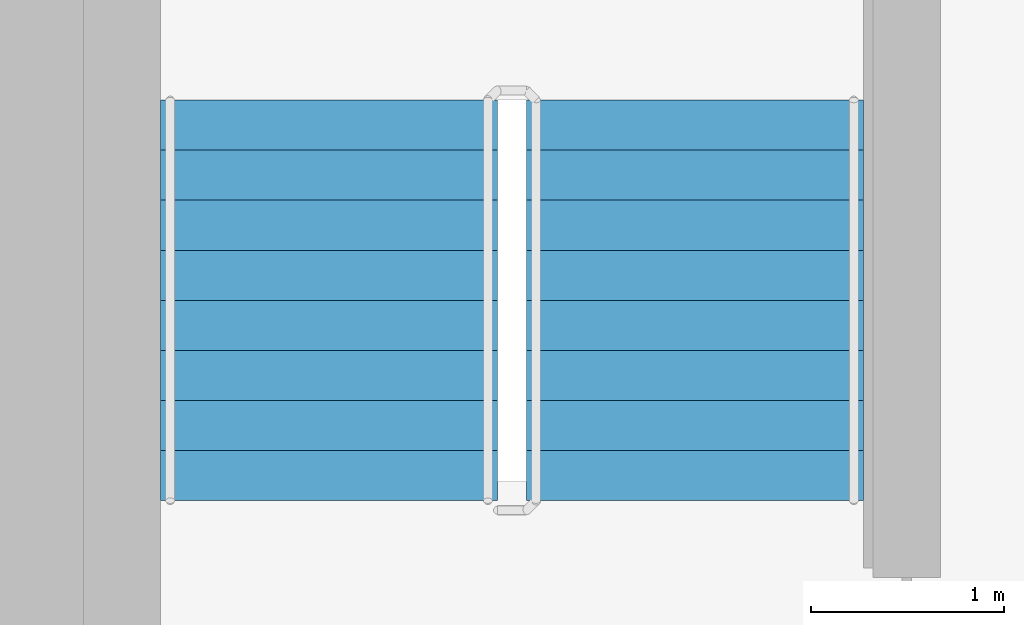
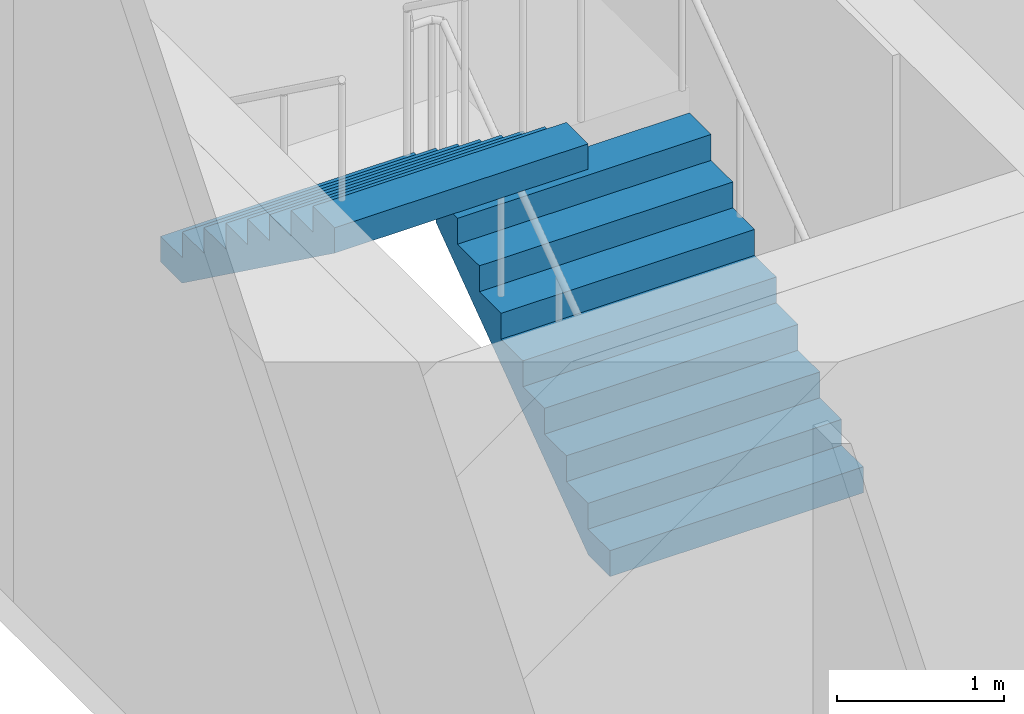
# One storey, part 16 of 19: 2 stair flights, 1 element without a shape of its own.
"""IFC4 building model written with IfcOpenShell, lengths in metres."""

from ifc_helpers import new_model, si_unit, direction, frame, origin, place, context, subcontext, project, spatial, faceted_brep, material, type_object, element, aggregate, save


model = new_model("IFC4")

# Units and contexts
model_context = context("Model", 3, precision=1e-05, world=origin(), true_north=direction((0.0, 1.0)))
body_context = subcontext(model_context, "Body", "Model", "MODEL_VIEW")
ifc_project = project(units=[si_unit("LENGTHUNIT", "METRE"), si_unit("AREAUNIT", "SQUARE_METRE"), si_unit("VOLUMEUNIT", "CUBIC_METRE"), si_unit("PLANEANGLEUNIT", "RADIAN"), si_unit("MASSUNIT", "GRAM", prefix="KILO")], contexts=[model_context])

# Site, building, storey
site_placement = place(None, origin())
site = spatial("IfcSite", under=ifc_project, at=site_placement, CompositionType="ELEMENT")
building_placement = place(site_placement, origin())
building = spatial("IfcBuilding", under=site, at=building_placement, Name="Ipe Terrace Towers", CompositionType="ELEMENT")
storey_placement = place(building_placement, frame((0.0, 0.0, 157.5)))
storey = spatial("IfcBuildingStorey", under=building, at=storey_placement, Name="L43", CompositionType="ELEMENT", Elevation=157.5)

# Stair, stair flights
ifc_material_1 = material(Name="Concrete C30/37", Category="concrete")
stair_type = type_object("IfcStairType", Name="Protected exit stair", PredefinedType="HALF_TURN_STAIR", material=ifc_material_1)
stair_placement = place(storey_placement, origin())
stair = element("IfcStair", 1, at=stair_placement, inside=storey, type_object=stair_type, Name="L43 Exit stair T2-C1", PredefinedType="HALF_TURN_STAIR")
ifc_material_2 = material(Name="Concrete C30/37", Category="concrete")
stair_flight_type = type_object("IfcStairFlightType", Name="Exit stair flight 1750", PredefinedType="STRAIGHT", material=ifc_material_2)
stair_flight_1_placement = place(storey_placement, frame((33.22509765625, 9.699951171875, 0.0), z_axis=(0.0, 0.0, 1.0), x_axis=(0.0, 1.0, 0.0)))
stair_flight_1 = element("IfcStairFlight", 2, at=stair_flight_1_placement, type_object=stair_flight_type, Name="T2-ST1 flight 1", NumberOfRisers=9, NumberOfTreads=8, PredefinedType="STRAIGHT", RiserHeight=0.188888889, TreadLength=0.26, context=body_context, shape_type="Brep", body=[
    faceted_brep([(0.255126953125, -0.875, 0.0), (2.080078125, -0.875, 1.325927734375), (2.080078125, -0.875, 1.51123046875), (1.820068359375, -0.875, 1.51123046875), (1.820068359375, -0.875, 1.322265625), (1.56005859375, -0.875, 1.322265625), (1.56005859375, -0.875, 1.13330078125), (1.300048828125, -0.875, 1.13330078125), (1.300048828125, -0.875, 0.9443359375), (1.0400390625, -0.875, 0.9443359375), (1.0400390625, -0.875, 0.755615234375), (0.780029296875, -0.875, 0.755615234375), (0.780029296875, -0.875, 0.566650390625), (0.52001953125, -0.875, 0.566650390625), (0.52001953125, -0.875, 0.377685546875), (0.260009765625, -0.875, 0.377685546875), (0.260009765625, -0.875, 0.18896484375), (0.0, -0.875, 0.18896484375), (0.0, -0.875, 0.0), (0.0, 0.875, 0.0), (0.0, 0.875, 0.18896484375), (0.260009765625, 0.875, 0.18896484375), (0.260009765625, 0.875, 0.377685546875), (0.52001953125, 0.875, 0.377685546875), (0.52001953125, 0.875, 0.566650390625), (0.780029296875, 0.875, 0.566650390625), (0.780029296875, 0.875, 0.755615234375), (1.0400390625, 0.875, 0.755615234375), (1.0400390625, 0.875, 0.9443359375), (1.300048828125, 0.875, 0.9443359375), (1.300048828125, 0.875, 1.13330078125), (1.56005859375, 0.875, 1.13330078125), (1.56005859375, 0.875, 1.322265625), (1.820068359375, 0.875, 1.322265625), (1.820068359375, 0.875, 1.51123046875), (2.080078125, 0.875, 1.51123046875), (2.080078125, 0.875, 1.325927734375), (0.255126953125, 0.875, 0.0), (0.0, -0.300048828125, 0.18896484375), (0.0, -0.1201171875, 0.18896484375), (0.0, -0.06005859375, 0.18896484375), (0.0, -0.030029296875, 0.18896484375), (0.0, -0.010009765625, 0.18896484375), (0.0, 0.0, 0.18896484375), (0.0, 0.010009765625, 0.18896484375), (0.0, 0.030029296875, 0.18896484375), (0.0, 0.06005859375, 0.18896484375), (0.0, 0.1201171875, 0.18896484375), (0.0, 0.300048828125, 0.18896484375), (0.0, 0.300048828125, 0.0), (0.0, 0.1201171875, 0.0), (0.0, 0.06005859375, 0.0), (0.0, 0.030029296875, 0.0), (0.0, 0.010009765625, 0.0), (0.0, 0.0, 0.0), (0.0, -0.010009765625, 0.0), (0.0, -0.030029296875, 0.0), (0.0, -0.06005859375, 0.0), (0.0, -0.1201171875, 0.0), (0.0, -0.300048828125, 0.0), (0.260009765625, -0.300048828125, 0.18896484375), (0.260009765625, -0.1201171875, 0.18896484375), (0.260009765625, -0.06005859375, 0.18896484375), (0.260009765625, -0.030029296875, 0.18896484375), (0.260009765625, -0.010009765625, 0.18896484375), (0.260009765625, 0.0, 0.18896484375), (0.260009765625, 0.010009765625, 0.18896484375), (0.260009765625, 0.030029296875, 0.18896484375), (0.260009765625, 0.06005859375, 0.18896484375), (0.260009765625, 0.1201171875, 0.18896484375), (0.260009765625, 0.300048828125, 0.18896484375), (0.260009765625, -0.300048828125, 0.377685546875), (0.260009765625, -0.1201171875, 0.377685546875), (0.260009765625, -0.06005859375, 0.377685546875), (0.260009765625, -0.030029296875, 0.377685546875), (0.260009765625, -0.010009765625, 0.377685546875), (0.260009765625, 0.0, 0.377685546875), (0.260009765625, 0.010009765625, 0.377685546875), (0.260009765625, 0.030029296875, 0.377685546875), (0.260009765625, 0.06005859375, 0.377685546875), (0.260009765625, 0.1201171875, 0.377685546875), (0.260009765625, 0.300048828125, 0.377685546875), (0.52001953125, -0.300048828125, 0.377685546875), (0.52001953125, -0.1201171875, 0.377685546875), (0.52001953125, -0.06005859375, 0.377685546875), (0.52001953125, -0.030029296875, 0.377685546875), (0.52001953125, -0.010009765625, 0.377685546875), (0.52001953125, 0.0, 0.377685546875), (0.52001953125, 0.010009765625, 0.377685546875), (0.52001953125, 0.030029296875, 0.377685546875), (0.52001953125, 0.06005859375, 0.377685546875), (0.52001953125, 0.1201171875, 0.377685546875), (0.52001953125, 0.300048828125, 0.377685546875), (0.52001953125, -0.300048828125, 0.566650390625), (0.52001953125, -0.1201171875, 0.566650390625), (0.52001953125, -0.06005859375, 0.566650390625), (0.52001953125, -0.030029296875, 0.566650390625), (0.52001953125, -0.010009765625, 0.566650390625), (0.52001953125, 0.0, 0.566650390625), (0.52001953125, 0.010009765625, 0.566650390625), (0.52001953125, 0.030029296875, 0.566650390625), (0.52001953125, 0.06005859375, 0.566650390625), (0.52001953125, 0.1201171875, 0.566650390625), (0.52001953125, 0.300048828125, 0.566650390625), (0.780029296875, -0.300048828125, 0.566650390625), (0.780029296875, -0.1201171875, 0.566650390625), (0.780029296875, -0.06005859375, 0.566650390625), (0.780029296875, -0.030029296875, 0.566650390625), (0.780029296875, -0.010009765625, 0.566650390625), (0.780029296875, 0.0, 0.566650390625), (0.780029296875, 0.010009765625, 0.566650390625), (0.780029296875, 0.030029296875, 0.566650390625), (0.780029296875, 0.06005859375, 0.566650390625), (0.780029296875, 0.1201171875, 0.566650390625), (0.780029296875, 0.300048828125, 0.566650390625), (0.780029296875, -0.300048828125, 0.755615234375), (0.780029296875, -0.1201171875, 0.755615234375), (0.780029296875, -0.06005859375, 0.755615234375), (0.780029296875, -0.030029296875, 0.755615234375), (0.780029296875, -0.010009765625, 0.755615234375), (0.780029296875, 0.0, 0.755615234375), (0.780029296875, 0.010009765625, 0.755615234375), (0.780029296875, 0.030029296875, 0.755615234375), (0.780029296875, 0.06005859375, 0.755615234375), (0.780029296875, 0.1201171875, 0.755615234375), (0.780029296875, 0.300048828125, 0.755615234375), (1.0400390625, -0.300048828125, 0.755615234375), (1.0400390625, -0.1201171875, 0.755615234375), (1.0400390625, -0.06005859375, 0.755615234375), (1.0400390625, -0.030029296875, 0.755615234375), (1.0400390625, -0.010009765625, 0.755615234375), (1.0400390625, 0.0, 0.755615234375), (1.0400390625, 0.010009765625, 0.755615234375), (1.0400390625, 0.030029296875, 0.755615234375), (1.0400390625, 0.06005859375, 0.755615234375), (1.0400390625, 0.1201171875, 0.755615234375), (1.0400390625, 0.300048828125, 0.755615234375), (1.0400390625, -0.300048828125, 0.9443359375), (1.0400390625, -0.1201171875, 0.9443359375), (1.0400390625, -0.06005859375, 0.9443359375), (1.0400390625, -0.030029296875, 0.9443359375), (1.0400390625, -0.010009765625, 0.9443359375), (1.0400390625, 0.0, 0.9443359375), (1.0400390625, 0.010009765625, 0.9443359375), (1.0400390625, 0.030029296875, 0.9443359375), (1.0400390625, 0.06005859375, 0.9443359375), (1.0400390625, 0.1201171875, 0.9443359375), (1.0400390625, 0.300048828125, 0.9443359375), (1.300048828125, -0.300048828125, 0.9443359375), (1.300048828125, -0.1201171875, 0.9443359375), (1.300048828125, -0.06005859375, 0.9443359375), (1.300048828125, -0.030029296875, 0.9443359375), (1.300048828125, -0.010009765625, 0.9443359375), (1.300048828125, 0.0, 0.9443359375), (1.300048828125, 0.010009765625, 0.9443359375), (1.300048828125, 0.030029296875, 0.9443359375), (1.300048828125, 0.06005859375, 0.9443359375), (1.300048828125, 0.1201171875, 0.9443359375), (1.300048828125, 0.300048828125, 0.9443359375), (1.300048828125, -0.300048828125, 1.13330078125), (1.300048828125, -0.1201171875, 1.13330078125), (1.300048828125, -0.06005859375, 1.13330078125), (1.300048828125, -0.030029296875, 1.13330078125), (1.300048828125, -0.010009765625, 1.13330078125), (1.300048828125, 0.0, 1.13330078125), (1.300048828125, 0.010009765625, 1.13330078125), (1.300048828125, 0.030029296875, 1.13330078125), (1.300048828125, 0.06005859375, 1.13330078125), (1.300048828125, 0.1201171875, 1.13330078125), (1.300048828125, 0.300048828125, 1.13330078125), (1.56005859375, -0.300048828125, 1.13330078125), (1.56005859375, -0.1201171875, 1.13330078125), (1.56005859375, -0.06005859375, 1.13330078125), (1.56005859375, -0.030029296875, 1.13330078125), (1.56005859375, -0.010009765625, 1.13330078125), (1.56005859375, 0.0, 1.13330078125), (1.56005859375, 0.010009765625, 1.13330078125), (1.56005859375, 0.030029296875, 1.13330078125), (1.56005859375, 0.06005859375, 1.13330078125), (1.56005859375, 0.1201171875, 1.13330078125), (1.56005859375, 0.300048828125, 1.13330078125), (1.56005859375, -0.300048828125, 1.322265625), (1.56005859375, -0.1201171875, 1.322265625), (1.56005859375, -0.06005859375, 1.322265625), (1.56005859375, -0.030029296875, 1.322265625), (1.56005859375, -0.010009765625, 1.322265625), (1.56005859375, 0.0, 1.322265625), (1.56005859375, 0.010009765625, 1.322265625), (1.56005859375, 0.030029296875, 1.322265625), (1.56005859375, 0.06005859375, 1.322265625), (1.56005859375, 0.1201171875, 1.322265625), (1.56005859375, 0.300048828125, 1.322265625), (1.820068359375, -0.300048828125, 1.322265625), (1.820068359375, -0.1201171875, 1.322265625), (1.820068359375, -0.06005859375, 1.322265625), (1.820068359375, -0.030029296875, 1.322265625), (1.820068359375, -0.010009765625, 1.322265625), (1.820068359375, 0.0, 1.322265625), (1.820068359375, 0.010009765625, 1.322265625), (1.820068359375, 0.030029296875, 1.322265625), (1.820068359375, 0.06005859375, 1.322265625), (1.820068359375, 0.1201171875, 1.322265625), (1.820068359375, 0.300048828125, 1.322265625), (1.820068359375, -0.300048828125, 1.51123046875), (1.820068359375, -0.1201171875, 1.51123046875), (1.820068359375, -0.06005859375, 1.51123046875), (1.820068359375, -0.030029296875, 1.51123046875), (1.820068359375, -0.010009765625, 1.51123046875), (1.820068359375, 0.0, 1.51123046875), (1.820068359375, 0.010009765625, 1.51123046875), (1.820068359375, 0.030029296875, 1.51123046875), (1.820068359375, 0.06005859375, 1.51123046875), (1.820068359375, 0.1201171875, 1.51123046875), (1.820068359375, 0.300048828125, 1.51123046875), (2.080078125, -0.300048828125, 1.51123046875), (2.080078125, -0.1201171875, 1.51123046875), (2.080078125, -0.06005859375, 1.51123046875), (2.080078125, -0.030029296875, 1.51123046875), (2.080078125, -0.010009765625, 1.51123046875), (2.080078125, 0.0, 1.51123046875), (2.080078125, 0.010009765625, 1.51123046875), (2.080078125, 0.030029296875, 1.51123046875), (2.080078125, 0.06005859375, 1.51123046875), (2.080078125, 0.1201171875, 1.51123046875), (2.080078125, 0.300048828125, 1.51123046875), (2.080078125, -0.300048828125, 1.325927734375), (2.080078125, -0.1201171875, 1.325927734375), (2.080078125, -0.06005859375, 1.325927734375), (2.080078125, -0.030029296875, 1.325927734375), (2.080078125, -0.010009765625, 1.325927734375), (2.080078125, 0.0, 1.325927734375), (2.080078125, 0.010009765625, 1.325927734375), (2.080078125, 0.030029296875, 1.325927734375), (2.080078125, 0.06005859375, 1.325927734375), (2.080078125, 0.1201171875, 1.325927734375), (2.080078125, 0.300048828125, 1.325927734375), (0.255126953125, -0.300048828125, 0.0), (0.255126953125, -0.1201171875, 0.0), (0.255126953125, -0.06005859375, 0.0), (0.255126953125, -0.030029296875, 0.0), (0.255126953125, -0.010009765625, 0.0), (0.255126953125, 0.0, 0.0), (0.255126953125, 0.010009765625, 0.0), (0.255126953125, 0.030029296875, 0.0), (0.255126953125, 0.06005859375, 0.0), (0.255126953125, 0.1201171875, 0.0), (0.255126953125, 0.300048828125, 0.0)], [[[0, 1, 2, 3, 4, 5, 6, 7, 8, 9, 10, 11, 12, 13, 14, 15, 16, 17, 18]], [[19, 20, 21, 22, 23, 24, 25, 26, 27, 28, 29, 30, 31, 32, 33, 34, 35, 36, 37]], [[17, 38, 39, 40, 41, 42, 43, 44, 45, 46, 47, 48, 20, 19, 49, 50, 51, 52, 53, 54, 55, 56, 57, 58, 59, 18]], [[16, 60, 61, 62, 63, 64, 65, 66, 67, 68, 69, 70, 21, 20, 48, 47, 46, 45, 44, 43, 42, 41, 40, 39, 38, 17]], [[15, 71, 72, 73, 74, 75, 76, 77, 78, 79, 80, 81, 22, 21, 70, 69, 68, 67, 66, 65, 64, 63, 62, 61, 60, 16]], [[14, 82, 83, 84, 85, 86, 87, 88, 89, 90, 91, 92, 23, 22, 81, 80, 79, 78, 77, 76, 75, 74, 73, 72, 71, 15]], [[13, 93, 94, 95, 96, 97, 98, 99, 100, 101, 102, 103, 24, 23, 92, 91, 90, 89, 88, 87, 86, 85, 84, 83, 82, 14]], [[12, 104, 105, 106, 107, 108, 109, 110, 111, 112, 113, 114, 25, 24, 103, 102, 101, 100, 99, 98, 97, 96, 95, 94, 93, 13]], [[11, 115, 116, 117, 118, 119, 120, 121, 122, 123, 124, 125, 26, 25, 114, 113, 112, 111, 110, 109, 108, 107, 106, 105, 104, 12]], [[10, 126, 127, 128, 129, 130, 131, 132, 133, 134, 135, 136, 27, 26, 125, 124, 123, 122, 121, 120, 119, 118, 117, 116, 115, 11]], [[9, 137, 138, 139, 140, 141, 142, 143, 144, 145, 146, 147, 28, 27, 136, 135, 134, 133, 132, 131, 130, 129, 128, 127, 126, 10]], [[8, 148, 149, 150, 151, 152, 153, 154, 155, 156, 157, 158, 29, 28, 147, 146, 145, 144, 143, 142, 141, 140, 139, 138, 137, 9]], [[7, 159, 160, 161, 162, 163, 164, 165, 166, 167, 168, 169, 30, 29, 158, 157, 156, 155, 154, 153, 152, 151, 150, 149, 148, 8]], [[6, 170, 171, 172, 173, 174, 175, 176, 177, 178, 179, 180, 31, 30, 169, 168, 167, 166, 165, 164, 163, 162, 161, 160, 159, 7]], [[5, 181, 182, 183, 184, 185, 186, 187, 188, 189, 190, 191, 32, 31, 180, 179, 178, 177, 176, 175, 174, 173, 172, 171, 170, 6]], [[4, 192, 193, 194, 195, 196, 197, 198, 199, 200, 201, 202, 33, 32, 191, 190, 189, 188, 187, 186, 185, 184, 183, 182, 181, 5]], [[3, 203, 204, 205, 206, 207, 208, 209, 210, 211, 212, 213, 34, 33, 202, 201, 200, 199, 198, 197, 196, 195, 194, 193, 192, 4]], [[2, 214, 215, 216, 217, 218, 219, 220, 221, 222, 223, 224, 35, 34, 213, 212, 211, 210, 209, 208, 207, 206, 205, 204, 203, 3]], [[1, 225, 226, 227, 228, 229, 230, 231, 232, 233, 234, 235, 36, 35, 224, 223, 222, 221, 220, 219, 218, 217, 216, 215, 214, 2]], [[0, 236, 237, 238, 239, 240, 241, 242, 243, 244, 245, 246, 37, 36, 235, 234, 233, 232, 231, 230, 229, 228, 227, 226, 225, 1]], [[18, 59, 58, 57, 56, 55, 54, 53, 52, 51, 50, 49, 19, 37, 246, 245, 244, 243, 242, 241, 240, 239, 238, 237, 236, 0]]]),
])
stair_flight_2_placement = place(storey_placement, frame((31.324951171875, 11.780029296875, 1.699951171875), z_axis=(0.0, 0.0, 1.0), x_axis=(0.0, -1.0, 0.0)))
stair_flight_2 = element("IfcStairFlight", 3, at=stair_flight_2_placement, type_object=stair_flight_type, Name="T2-ST1 flight 2", NumberOfRisers=9, NumberOfTreads=8, PredefinedType="STRAIGHT", RiserHeight=0.188888889, TreadLength=0.26, context=body_context, shape_type="Brep", body=[
    faceted_brep([(0.255126953125, -0.875, 0.0), (2.080078125, -0.875, 1.325927734375), (2.080078125, -0.875, 1.51123046875), (1.820068359375, -0.875, 1.51123046875), (1.820068359375, -0.875, 1.322265625), (1.56005859375, -0.875, 1.322265625), (1.56005859375, -0.875, 1.13330078125), (1.300048828125, -0.875, 1.13330078125), (1.300048828125, -0.875, 0.9443359375), (1.0400390625, -0.875, 0.9443359375), (1.0400390625, -0.875, 0.755615234375), (0.780029296875, -0.875, 0.755615234375), (0.780029296875, -0.875, 0.566650390625), (0.52001953125, -0.875, 0.566650390625), (0.52001953125, -0.875, 0.377685546875), (0.260009765625, -0.875, 0.377685546875), (0.260009765625, -0.875, 0.18896484375), (0.0, -0.875, 0.18896484375), (0.0, -0.875, 0.0), (0.0, 0.875, 0.0), (0.0, 0.875, 0.18896484375), (0.260009765625, 0.875, 0.18896484375), (0.260009765625, 0.875, 0.377685546875), (0.52001953125, 0.875, 0.377685546875), (0.52001953125, 0.875, 0.566650390625), (0.780029296875, 0.875, 0.566650390625), (0.780029296875, 0.875, 0.755615234375), (1.0400390625, 0.875, 0.755615234375), (1.0400390625, 0.875, 0.9443359375), (1.300048828125, 0.875, 0.9443359375), (1.300048828125, 0.875, 1.13330078125), (1.56005859375, 0.875, 1.13330078125), (1.56005859375, 0.875, 1.322265625), (1.820068359375, 0.875, 1.322265625), (1.820068359375, 0.875, 1.51123046875), (2.080078125, 0.875, 1.51123046875), (2.080078125, 0.875, 1.325927734375), (0.255126953125, 0.875, 0.0), (0.0, -0.300048828125, 0.18896484375), (0.0, -0.1201171875, 0.18896484375), (0.0, -0.06005859375, 0.18896484375), (0.0, -0.030029296875, 0.18896484375), (0.0, -0.010009765625, 0.18896484375), (0.0, 0.0, 0.18896484375), (0.0, 0.010009765625, 0.18896484375), (0.0, 0.030029296875, 0.18896484375), (0.0, 0.06005859375, 0.18896484375), (0.0, 0.1201171875, 0.18896484375), (0.0, 0.300048828125, 0.18896484375), (0.0, 0.300048828125, 0.0), (0.0, 0.1201171875, 0.0), (0.0, 0.06005859375, 0.0), (0.0, 0.030029296875, 0.0), (0.0, 0.010009765625, 0.0), (0.0, 0.0, 0.0), (0.0, -0.010009765625, 0.0), (0.0, -0.030029296875, 0.0), (0.0, -0.06005859375, 0.0), (0.0, -0.1201171875, 0.0), (0.0, -0.300048828125, 0.0), (0.260009765625, -0.300048828125, 0.18896484375), (0.260009765625, -0.1201171875, 0.18896484375), (0.260009765625, -0.06005859375, 0.18896484375), (0.260009765625, -0.030029296875, 0.18896484375), (0.260009765625, -0.010009765625, 0.18896484375), (0.260009765625, 0.0, 0.18896484375), (0.260009765625, 0.010009765625, 0.18896484375), (0.260009765625, 0.030029296875, 0.18896484375), (0.260009765625, 0.06005859375, 0.18896484375), (0.260009765625, 0.1201171875, 0.18896484375), (0.260009765625, 0.300048828125, 0.18896484375), (0.260009765625, -0.300048828125, 0.377685546875), (0.260009765625, -0.1201171875, 0.377685546875), (0.260009765625, -0.06005859375, 0.377685546875), (0.260009765625, -0.030029296875, 0.377685546875), (0.260009765625, -0.010009765625, 0.377685546875), (0.260009765625, 0.0, 0.377685546875), (0.260009765625, 0.010009765625, 0.377685546875), (0.260009765625, 0.030029296875, 0.377685546875), (0.260009765625, 0.06005859375, 0.377685546875), (0.260009765625, 0.1201171875, 0.377685546875), (0.260009765625, 0.300048828125, 0.377685546875), (0.52001953125, -0.300048828125, 0.377685546875), (0.52001953125, -0.1201171875, 0.377685546875), (0.52001953125, -0.06005859375, 0.377685546875), (0.52001953125, -0.030029296875, 0.377685546875), (0.52001953125, -0.010009765625, 0.377685546875), (0.52001953125, 0.0, 0.377685546875), (0.52001953125, 0.010009765625, 0.377685546875), (0.52001953125, 0.030029296875, 0.377685546875), (0.52001953125, 0.06005859375, 0.377685546875), (0.52001953125, 0.1201171875, 0.377685546875), (0.52001953125, 0.300048828125, 0.377685546875), (0.52001953125, -0.300048828125, 0.566650390625), (0.52001953125, -0.1201171875, 0.566650390625), (0.52001953125, -0.06005859375, 0.566650390625), (0.52001953125, -0.030029296875, 0.566650390625), (0.52001953125, -0.010009765625, 0.566650390625), (0.52001953125, 0.0, 0.566650390625), (0.52001953125, 0.010009765625, 0.566650390625), (0.52001953125, 0.030029296875, 0.566650390625), (0.52001953125, 0.06005859375, 0.566650390625), (0.52001953125, 0.1201171875, 0.566650390625), (0.52001953125, 0.300048828125, 0.566650390625), (0.780029296875, -0.300048828125, 0.566650390625), (0.780029296875, -0.1201171875, 0.566650390625), (0.780029296875, -0.06005859375, 0.566650390625), (0.780029296875, -0.030029296875, 0.566650390625), (0.780029296875, -0.010009765625, 0.566650390625), (0.780029296875, 0.0, 0.566650390625), (0.780029296875, 0.010009765625, 0.566650390625), (0.780029296875, 0.030029296875, 0.566650390625), (0.780029296875, 0.06005859375, 0.566650390625), (0.780029296875, 0.1201171875, 0.566650390625), (0.780029296875, 0.300048828125, 0.566650390625), (0.780029296875, -0.300048828125, 0.755615234375), (0.780029296875, -0.1201171875, 0.755615234375), (0.780029296875, -0.06005859375, 0.755615234375), (0.780029296875, -0.030029296875, 0.755615234375), (0.780029296875, -0.010009765625, 0.755615234375), (0.780029296875, 0.0, 0.755615234375), (0.780029296875, 0.010009765625, 0.755615234375), (0.780029296875, 0.030029296875, 0.755615234375), (0.780029296875, 0.06005859375, 0.755615234375), (0.780029296875, 0.1201171875, 0.755615234375), (0.780029296875, 0.300048828125, 0.755615234375), (1.0400390625, -0.300048828125, 0.755615234375), (1.0400390625, -0.1201171875, 0.755615234375), (1.0400390625, -0.06005859375, 0.755615234375), (1.0400390625, -0.030029296875, 0.755615234375), (1.0400390625, -0.010009765625, 0.755615234375), (1.0400390625, 0.0, 0.755615234375), (1.0400390625, 0.010009765625, 0.755615234375), (1.0400390625, 0.030029296875, 0.755615234375), (1.0400390625, 0.06005859375, 0.755615234375), (1.0400390625, 0.1201171875, 0.755615234375), (1.0400390625, 0.300048828125, 0.755615234375), (1.0400390625, -0.300048828125, 0.9443359375), (1.0400390625, -0.1201171875, 0.9443359375), (1.0400390625, -0.06005859375, 0.9443359375), (1.0400390625, -0.030029296875, 0.9443359375), (1.0400390625, -0.010009765625, 0.9443359375), (1.0400390625, 0.0, 0.9443359375), (1.0400390625, 0.010009765625, 0.9443359375), (1.0400390625, 0.030029296875, 0.9443359375), (1.0400390625, 0.06005859375, 0.9443359375), (1.0400390625, 0.1201171875, 0.9443359375), (1.0400390625, 0.300048828125, 0.9443359375), (1.300048828125, -0.300048828125, 0.9443359375), (1.300048828125, -0.1201171875, 0.9443359375), (1.300048828125, -0.06005859375, 0.9443359375), (1.300048828125, -0.030029296875, 0.9443359375), (1.300048828125, -0.010009765625, 0.9443359375), (1.300048828125, 0.0, 0.9443359375), (1.300048828125, 0.010009765625, 0.9443359375), (1.300048828125, 0.030029296875, 0.9443359375), (1.300048828125, 0.06005859375, 0.9443359375), (1.300048828125, 0.1201171875, 0.9443359375), (1.300048828125, 0.300048828125, 0.9443359375), (1.300048828125, -0.300048828125, 1.13330078125), (1.300048828125, -0.1201171875, 1.13330078125), (1.300048828125, -0.06005859375, 1.13330078125), (1.300048828125, -0.030029296875, 1.13330078125), (1.300048828125, -0.010009765625, 1.13330078125), (1.300048828125, 0.0, 1.13330078125), (1.300048828125, 0.010009765625, 1.13330078125), (1.300048828125, 0.030029296875, 1.13330078125), (1.300048828125, 0.06005859375, 1.13330078125), (1.300048828125, 0.1201171875, 1.13330078125), (1.300048828125, 0.300048828125, 1.13330078125), (1.56005859375, -0.300048828125, 1.13330078125), (1.56005859375, -0.1201171875, 1.13330078125), (1.56005859375, -0.06005859375, 1.13330078125), (1.56005859375, -0.030029296875, 1.13330078125), (1.56005859375, -0.010009765625, 1.13330078125), (1.56005859375, 0.0, 1.13330078125), (1.56005859375, 0.010009765625, 1.13330078125), (1.56005859375, 0.030029296875, 1.13330078125), (1.56005859375, 0.06005859375, 1.13330078125), (1.56005859375, 0.1201171875, 1.13330078125), (1.56005859375, 0.300048828125, 1.13330078125), (1.56005859375, -0.300048828125, 1.322265625), (1.56005859375, -0.1201171875, 1.322265625), (1.56005859375, -0.06005859375, 1.322265625), (1.56005859375, -0.030029296875, 1.322265625), (1.56005859375, -0.010009765625, 1.322265625), (1.56005859375, 0.0, 1.322265625), (1.56005859375, 0.010009765625, 1.322265625), (1.56005859375, 0.030029296875, 1.322265625), (1.56005859375, 0.06005859375, 1.322265625), (1.56005859375, 0.1201171875, 1.322265625), (1.56005859375, 0.300048828125, 1.322265625), (1.820068359375, -0.300048828125, 1.322265625), (1.820068359375, -0.1201171875, 1.322265625), (1.820068359375, -0.06005859375, 1.322265625), (1.820068359375, -0.030029296875, 1.322265625), (1.820068359375, -0.010009765625, 1.322265625), (1.820068359375, 0.0, 1.322265625), (1.820068359375, 0.010009765625, 1.322265625), (1.820068359375, 0.030029296875, 1.322265625), (1.820068359375, 0.06005859375, 1.322265625), (1.820068359375, 0.1201171875, 1.322265625), (1.820068359375, 0.300048828125, 1.322265625), (1.820068359375, -0.300048828125, 1.51123046875), (1.820068359375, -0.1201171875, 1.51123046875), (1.820068359375, -0.06005859375, 1.51123046875), (1.820068359375, -0.030029296875, 1.51123046875), (1.820068359375, -0.010009765625, 1.51123046875), (1.820068359375, 0.0, 1.51123046875), (1.820068359375, 0.010009765625, 1.51123046875), (1.820068359375, 0.030029296875, 1.51123046875), (1.820068359375, 0.06005859375, 1.51123046875), (1.820068359375, 0.1201171875, 1.51123046875), (1.820068359375, 0.300048828125, 1.51123046875), (2.080078125, -0.300048828125, 1.51123046875), (2.080078125, -0.1201171875, 1.51123046875), (2.080078125, -0.06005859375, 1.51123046875), (2.080078125, -0.030029296875, 1.51123046875), (2.080078125, -0.010009765625, 1.51123046875), (2.080078125, 0.0, 1.51123046875), (2.080078125, 0.010009765625, 1.51123046875), (2.080078125, 0.030029296875, 1.51123046875), (2.080078125, 0.06005859375, 1.51123046875), (2.080078125, 0.1201171875, 1.51123046875), (2.080078125, 0.300048828125, 1.51123046875), (2.080078125, -0.300048828125, 1.325927734375), (2.080078125, -0.1201171875, 1.325927734375), (2.080078125, -0.06005859375, 1.325927734375), (2.080078125, -0.030029296875, 1.325927734375), (2.080078125, -0.010009765625, 1.325927734375), (2.080078125, 0.0, 1.325927734375), (2.080078125, 0.010009765625, 1.325927734375), (2.080078125, 0.030029296875, 1.325927734375), (2.080078125, 0.06005859375, 1.325927734375), (2.080078125, 0.1201171875, 1.325927734375), (2.080078125, 0.300048828125, 1.325927734375), (0.255126953125, -0.300048828125, 0.0), (0.255126953125, -0.1201171875, 0.0), (0.255126953125, -0.06005859375, 0.0), (0.255126953125, -0.030029296875, 0.0), (0.255126953125, -0.010009765625, 0.0), (0.255126953125, 0.0, 0.0), (0.255126953125, 0.010009765625, 0.0), (0.255126953125, 0.030029296875, 0.0), (0.255126953125, 0.06005859375, 0.0), (0.255126953125, 0.1201171875, 0.0), (0.255126953125, 0.300048828125, 0.0)], [[[0, 1, 2, 3, 4, 5, 6, 7, 8, 9, 10, 11, 12, 13, 14, 15, 16, 17, 18]], [[19, 20, 21, 22, 23, 24, 25, 26, 27, 28, 29, 30, 31, 32, 33, 34, 35, 36, 37]], [[17, 38, 39, 40, 41, 42, 43, 44, 45, 46, 47, 48, 20, 19, 49, 50, 51, 52, 53, 54, 55, 56, 57, 58, 59, 18]], [[16, 60, 61, 62, 63, 64, 65, 66, 67, 68, 69, 70, 21, 20, 48, 47, 46, 45, 44, 43, 42, 41, 40, 39, 38, 17]], [[15, 71, 72, 73, 74, 75, 76, 77, 78, 79, 80, 81, 22, 21, 70, 69, 68, 67, 66, 65, 64, 63, 62, 61, 60, 16]], [[14, 82, 83, 84, 85, 86, 87, 88, 89, 90, 91, 92, 23, 22, 81, 80, 79, 78, 77, 76, 75, 74, 73, 72, 71, 15]], [[13, 93, 94, 95, 96, 97, 98, 99, 100, 101, 102, 103, 24, 23, 92, 91, 90, 89, 88, 87, 86, 85, 84, 83, 82, 14]], [[12, 104, 105, 106, 107, 108, 109, 110, 111, 112, 113, 114, 25, 24, 103, 102, 101, 100, 99, 98, 97, 96, 95, 94, 93, 13]], [[11, 115, 116, 117, 118, 119, 120, 121, 122, 123, 124, 125, 26, 25, 114, 113, 112, 111, 110, 109, 108, 107, 106, 105, 104, 12]], [[10, 126, 127, 128, 129, 130, 131, 132, 133, 134, 135, 136, 27, 26, 125, 124, 123, 122, 121, 120, 119, 118, 117, 116, 115, 11]], [[9, 137, 138, 139, 140, 141, 142, 143, 144, 145, 146, 147, 28, 27, 136, 135, 134, 133, 132, 131, 130, 129, 128, 127, 126, 10]], [[8, 148, 149, 150, 151, 152, 153, 154, 155, 156, 157, 158, 29, 28, 147, 146, 145, 144, 143, 142, 141, 140, 139, 138, 137, 9]], [[7, 159, 160, 161, 162, 163, 164, 165, 166, 167, 168, 169, 30, 29, 158, 157, 156, 155, 154, 153, 152, 151, 150, 149, 148, 8]], [[6, 170, 171, 172, 173, 174, 175, 176, 177, 178, 179, 180, 31, 30, 169, 168, 167, 166, 165, 164, 163, 162, 161, 160, 159, 7]], [[5, 181, 182, 183, 184, 185, 186, 187, 188, 189, 190, 191, 32, 31, 180, 179, 178, 177, 176, 175, 174, 173, 172, 171, 170, 6]], [[4, 192, 193, 194, 195, 196, 197, 198, 199, 200, 201, 202, 33, 32, 191, 190, 189, 188, 187, 186, 185, 184, 183, 182, 181, 5]], [[3, 203, 204, 205, 206, 207, 208, 209, 210, 211, 212, 213, 34, 33, 202, 201, 200, 199, 198, 197, 196, 195, 194, 193, 192, 4]], [[2, 214, 215, 216, 217, 218, 219, 220, 221, 222, 223, 224, 35, 34, 213, 212, 211, 210, 209, 208, 207, 206, 205, 204, 203, 3]], [[1, 225, 226, 227, 228, 229, 230, 231, 232, 233, 234, 235, 36, 35, 224, 223, 222, 221, 220, 219, 218, 217, 216, 215, 214, 2]], [[0, 236, 237, 238, 239, 240, 241, 242, 243, 244, 245, 246, 37, 36, 235, 234, 233, 232, 231, 230, 229, 228, 227, 226, 225, 1]], [[18, 59, 58, 57, 56, 55, 54, 53, 52, 51, 50, 49, 19, 37, 246, 245, 244, 243, 242, 241, 240, 239, 238, 237, 236, 0]]]),
])
aggregate(stair, [stair_flight_1, stair_flight_2])

save(model, "model.ifc")
